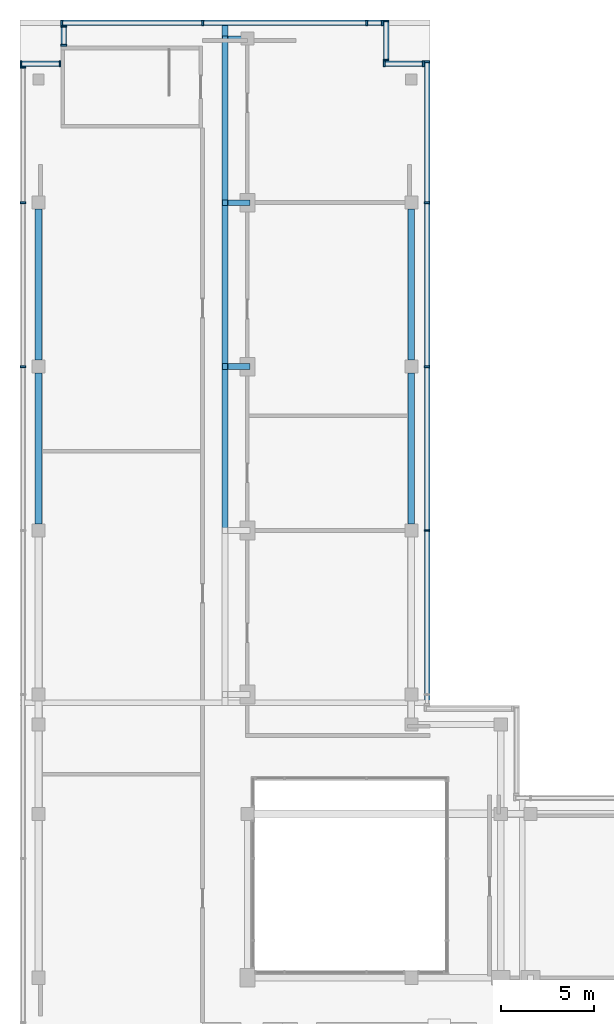
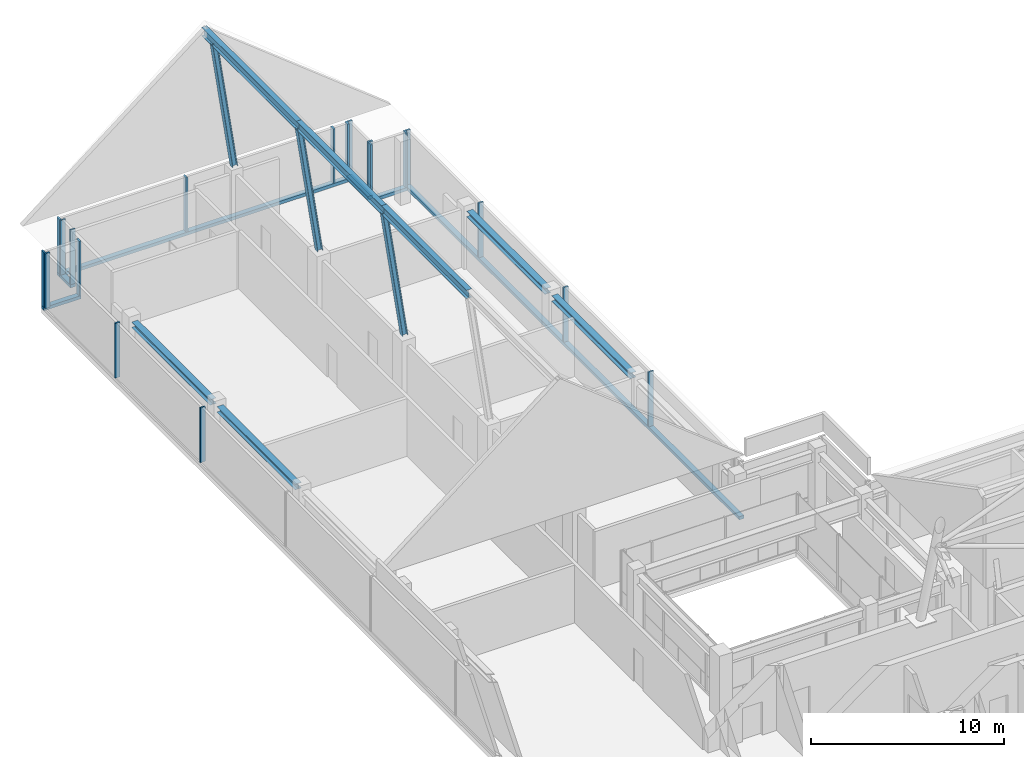
# One storey, part 8 of 13: 28 members, 7 beams, 7 elements without a shape of their own.
"""IFC4 building model written with IfcOpenShell, lengths in metres."""

from ifc_helpers import new_model, si_unit, direction, frame, origin, origin_2d, place, context, subcontext, project, spatial, rectangle, i_section, extrude, source, transform, mapped, material, material_profile, profile_set, type_object, element, aggregate, save


model = new_model("IFC4")

# Units and contexts
model_context = context("Model", 3, precision=1e-05, world=origin(), true_north=direction((0.0, 1.0)))
body_context = subcontext(model_context, "Body", "Model", "MODEL_VIEW")
ifc_project = project(units=[si_unit("LENGTHUNIT", "METRE"), si_unit("AREAUNIT", "SQUARE_METRE"), si_unit("VOLUMEUNIT", "CUBIC_METRE"), si_unit("PLANEANGLEUNIT", "RADIAN"), si_unit("MASSUNIT", "GRAM", prefix="KILO")], contexts=[model_context])

# Site, building, storey
site_placement = place(None, origin())
site = spatial("IfcSite", under=ifc_project, at=site_placement, CompositionType="ELEMENT")
building_placement = place(site_placement, origin())
building = spatial("IfcBuilding", under=site, at=building_placement, Name="Kemantara Hotel Tower", CompositionType="ELEMENT")
storey_placement = place(building_placement, frame((0.0, 0.0, 330.199951171875)))
storey = spatial("IfcBuildingStorey", under=building, at=storey_placement, Name="L83", CompositionType="ELEMENT", Elevation=330.199951171875)

# Curtain wall, member
ifc_material_1 = material(Name="Aluminium 6063-T6 bronze anodised", Category="aluminium")
curtain_wall_type = type_object("IfcCurtainWallType", Name="CROWN LOUVRE SCREEN WALL", PredefinedType="USERDEFINED", material=ifc_material_1)
curtain_wall_1_placement = place(storey_placement, origin())
curtain_wall_1 = element("IfcCurtainWall", 1, at=curtain_wall_1_placement, inside=storey, type_object=curtain_wall_type, Name="CW7 L83 CRN-R02-1", ObjectType="CROWN LOUVRE SCREEN WALL", PredefinedType="USERDEFINED")
ifc_material_profile_1 = material_profile(ifc_material_1, rectangle(XDim=0.300048828125, YDim=0.199951171875, at=origin_2d()), Name="CROWN LOUVRE SCREEN WALL TRANSOM")
ifc_profile_set_1 = profile_set([ifc_material_profile_1], Name="Aluminium 6063-T6 bronze anodised")
member_type_1 = type_object("IfcMemberType", Name="CROWN LOUVRE SCREEN WALL TRANSOM", PredefinedType="USERDEFINED", material=ifc_profile_set_1)
member_1_placement = place(storey_placement, frame((19.5, 63.449951171875, 0.10009765625), z_axis=(-1.0, 0.0, 0.0), x_axis=(0.0, -1.0, 0.0)))
member_1 = element("IfcMember", 2, at=member_1_placement, type_object=member_type_1, Name="CW7 sill transom CRN-R02-1", ObjectType="TRANSOM", PredefinedType="USERDEFINED", context=body_context, shape_type="SweptSolid", body=[
    extrude(rectangle(XDim=0.300048828125, YDim=0.199951171875, at=origin_2d()), origin(), (0.0, 0.0, 1.0), 17.300048828125),
])

curtain_wall_2_placement = place(storey_placement, origin())
curtain_wall_2 = element("IfcCurtainWall", 3, at=curtain_wall_2_placement, inside=storey, type_object=curtain_wall_type, Name="CW7 L83 CRN-R15-1", ObjectType="CROWN LOUVRE SCREEN WALL", PredefinedType="USERDEFINED")
member_2_placement = place(storey_placement, frame((21.85009765625, 26.800048828125, 0.10009765625), z_axis=(0.0, 1.0, 0.0), x_axis=(-1.0, 0.0, 0.0)))
member_2 = element("IfcMember", 4, at=member_2_placement, type_object=member_type_1, Name="CW7 sill transom CRN-R15-1", ObjectType="TRANSOM", PredefinedType="USERDEFINED", context=body_context, shape_type="SweptSolid", body=[
    extrude(rectangle(XDim=0.300048828125, YDim=0.199951171875, at=origin_2d()), origin(), (0.0, 0.0, 1.0), 34.599853515625),
])

curtain_wall_3_placement = place(storey_placement, origin())
curtain_wall_3 = element("IfcCurtainWall", 5, at=curtain_wall_3_placement, inside=storey, type_object=curtain_wall_type, Name="CW7 L83 CRN-R00-1", ObjectType="CROWN LOUVRE SCREEN WALL", PredefinedType="USERDEFINED")
member_3_placement = place(storey_placement, frame((21.699951171875, 61.25, 0.10009765625), z_axis=(-1.0, 0.0, 0.0), x_axis=(0.0, -1.0, 0.0)))
member_3 = element("IfcMember", 6, at=member_3_placement, type_object=member_type_1, Name="CW7 sill transom CRN-R00-1", ObjectType="TRANSOM", PredefinedType="USERDEFINED", context=body_context, shape_type="SweptSolid", body=[
    extrude(rectangle(XDim=0.300048828125, YDim=0.199951171875, at=origin_2d()), origin(), (0.0, 0.0, 1.0), 2.199951171875),
])

curtain_wall_4_placement = place(storey_placement, origin())
curtain_wall_4 = element("IfcCurtainWall", 7, at=curtain_wall_4_placement, inside=storey, type_object=curtain_wall_type, Name="CW7 L83 CRN-R01-1", ObjectType="CROWN LOUVRE SCREEN WALL", PredefinedType="USERDEFINED")
member_4_placement = place(storey_placement, frame((19.64990234375, 61.39990234375, 0.10009765625), z_axis=(0.0, 1.0, 0.0), x_axis=(-1.0, 0.0, 0.0)))
member_4 = element("IfcMember", 8, at=member_4_placement, type_object=member_type_1, Name="CW7 sill transom CRN-R01-1", ObjectType="TRANSOM", PredefinedType="USERDEFINED", context=body_context, shape_type="SweptSolid", body=[
    extrude(rectangle(XDim=0.300048828125, YDim=0.199951171875, at=origin_2d()), origin(), (0.0, 0.0, 1.0), 2.2001953125),
])

curtain_wall_5_placement = place(storey_placement, origin())
curtain_wall_5 = element("IfcCurtainWall", 9, at=curtain_wall_5_placement, inside=storey, type_object=curtain_wall_type, Name="CW7 L83 CRN-R03-1", ObjectType="CROWN LOUVRE SCREEN WALL", PredefinedType="USERDEFINED")
member_5_placement = place(storey_placement, frame((2.35009765625, 63.300048828125, 0.10009765625), z_axis=(0.0, -1.0, 0.0), x_axis=(1.0, 0.0, 0.0)))
member_5 = element("IfcMember", 10, at=member_5_placement, type_object=member_type_1, Name="CW7 sill transom CRN-R03-1", ObjectType="TRANSOM", PredefinedType="USERDEFINED", context=body_context, shape_type="SweptSolid", body=[
    extrude(rectangle(XDim=0.300048828125, YDim=0.199951171875, at=origin_2d()), origin(), (0.0, 0.0, 1.0), 1.10009765625),
])

curtain_wall_6_placement = place(storey_placement, origin())
curtain_wall_6 = element("IfcCurtainWall", 11, at=curtain_wall_6_placement, inside=storey, type_object=curtain_wall_type, Name="CW7 L83 CRN-R04-1", ObjectType="CROWN LOUVRE SCREEN WALL", PredefinedType="USERDEFINED")
member_6_placement = place(storey_placement, frame((2.199951171875, 61.25, 0.10009765625), z_axis=(-1.0, 0.0, 0.0), x_axis=(0.0, -1.0, 0.0)))
member_6 = element("IfcMember", 12, at=member_6_placement, type_object=member_type_1, Name="CW7 sill transom CRN-R04-1", ObjectType="TRANSOM", PredefinedType="USERDEFINED", context=body_context, shape_type="SweptSolid", body=[
    extrude(rectangle(XDim=0.300048828125, YDim=0.199951171875, at=origin_2d()), origin(), (0.0, 0.0, 1.0), 2.199951171875),
])

# Members
ifc_material_2 = material(Name="Steel ASTM A992 Grade 50", Category="steel")
ifc_material_profile_2 = material_profile(ifc_material_2, i_section(OverallWidth=0.304931640625, OverallDepth=0.306884765625, WebThickness=0.010009765625, FlangeThickness=0.015380859375, at=origin_2d()), Name="W310X97")
ifc_profile_set_2 = profile_set([ifc_material_profile_2], Name="Steel ASTM A992 Grade 50")
member_type_2 = type_object("IfcMemberType", Name="ROOF RIDGE A-FRAME W310X97", PredefinedType="BRACE", material=ifc_profile_set_2)
for number, where, z_axis, x_axis, name in (
    (13, (12.199951171875, 45.0, 4.0), (-0.14611875183, 0.0, 0.989267057151), (0.0, -1.0, 0.0), "PEAK B RIDGE A-FRAME 3 LEG 2"),
    (14, (12.199951171875, 53.800048828125, 4.0), (-0.14611875183, 0.0, 0.989267057151), (0.0, -1.0, 0.0), "PEAK B RIDGE A-FRAME 4 LEG 2"),
    (15, (12.199951171875, 62.60009765625, 4.0), (-0.14611875183, 0.0, 0.989267057151), (0.0, -1.0, 0.0), "PEAK B RIDGE A-FRAME 5 LEG 2"),
):
    element("IfcMember", number, at=place(storey_placement, frame(where, z_axis=z_axis, x_axis=x_axis)), inside=storey, type_object=member_type_2, Name=name, PredefinedType="BRACE", context=body_context, shape_type="SweptSolid", body=[
        extrude(i_section(OverallWidth=0.304931640625, OverallDepth=0.306884765625, WebThickness=0.010009765625, FlangeThickness=0.015380859375, at=origin_2d()), origin(), (0.0, 0.0, 1.0), 8.212158203125),
    ])

# Beams
ifc_material_profile_3 = material_profile(ifc_material_2, i_section(OverallWidth=0.31201171875, OverallDepth=0.5439453125, WebThickness=0.0126953125, FlangeThickness=0.020263671875, at=origin_2d()), Name="W530X150")
ifc_profile_set_3 = profile_set([ifc_material_profile_3], Name="Steel ASTM A992 Grade 50")
beam_type_1 = type_object("IfcBeamType", Name="ROOF RIDGE BEAM W530X150", PredefinedType="BEAM", material=ifc_profile_set_3)
for number, where, z_axis, x_axis, name in (
    (16, (11.0, 36.199951171875, 12.328125), (0.0, 1.0, 0.0), (-1.0, 0.0, 0.0), "PEAK B RIDGE BEAM 2"),
    (17, (11.0, 45.0, 12.328125), (0.0, 1.0, 0.0), (-1.0, 0.0, 0.0), "PEAK B RIDGE BEAM 3"),
):
    element("IfcBeam", number, at=place(storey_placement, frame(where, z_axis=z_axis, x_axis=x_axis)), inside=storey, type_object=beam_type_1, Name=name, PredefinedType="BEAM", context=body_context, shape_type="SweptSolid", body=[
        extrude(i_section(OverallWidth=0.31201171875, OverallDepth=0.5439453125, WebThickness=0.0126953125, FlangeThickness=0.020263671875, at=origin_2d()), origin(), (0.0, 0.0, 1.0), 8.800048828125),
    ])
beam_placement = place(storey_placement, frame((11.0, 53.800048828125, 12.328125), z_axis=(0.0, 1.0, 0.0), x_axis=(-1.0, 0.0, 0.0)))
element("IfcBeam", 18, at=beam_placement, inside=storey, type_object=beam_type_1, Name="PEAK B RIDGE BEAM 4", PredefinedType="BEAM", context=body_context, shape_type="SweptSolid", body=[
    extrude(i_section(OverallWidth=0.31201171875, OverallDepth=0.5439453125, WebThickness=0.0126953125, FlangeThickness=0.020263671875, at=origin_2d()), origin(), (0.0, 0.0, 1.0), 9.800048828125),
])
ifc_material_profile_4 = material_profile(ifc_material_2, i_section(OverallWidth=0.367919921875, OverallDepth=0.35595703125, WebThickness=0.01123046875, FlangeThickness=0.01806640625, at=origin_2d()), Name="W360X134")
ifc_profile_set_4 = profile_set([ifc_material_profile_4], Name="Steel ASTM A992 Grade 50")
beam_type_2 = type_object("IfcBeamType", Name="ROOF RING BEAM W360X134", PredefinedType="BEAM", material=ifc_profile_set_4)
for number, where, z_axis, x_axis, name in (
    (19, (1.0, 36.550048828125, 3.47216796875), (0.0, 1.0, 0.0), (-1.0, 0.0, 0.0), "ROOF RING BEAM 5"),
    (20, (1.0, 45.35009765625, 3.47216796875), (0.0, 1.0, 0.0), (-1.0, 0.0, 0.0), "ROOF RING BEAM 6"),
    (21, (21.0, 36.550048828125, 3.47216796875), (0.0, 1.0, 0.0), (-1.0, 0.0, 0.0), "ROOF RING BEAM 9"),
    (22, (21.0, 45.35009765625, 3.47216796875), (0.0, 1.0, 0.0), (-1.0, 0.0, 0.0), "ROOF RING BEAM 10"),
):
    element("IfcBeam", number, at=place(storey_placement, frame(where, z_axis=z_axis, x_axis=x_axis)), inside=storey, type_object=beam_type_2, Name=name, PredefinedType="BEAM", context=body_context, shape_type="SweptSolid", body=[
        extrude(i_section(OverallWidth=0.367919921875, OverallDepth=0.35595703125, WebThickness=0.01123046875, FlangeThickness=0.01806640625, at=origin_2d()), origin(), (0.0, 0.0, 1.0), 8.099853515625),
    ])

# Member
ifc_material_profile_5 = material_profile(ifc_material_1, rectangle(XDim=0.300048828125, YDim=0.10009765625, at=origin_2d()), Name="CROWN LOUVRE SCREEN WALL MULLION")
ifc_profile_set_5 = profile_set([ifc_material_profile_5], Name="Aluminium 6063-T6 bronze anodised")
member_type_3 = type_object("IfcMemberType", Name="CROWN LOUVRE SCREEN WALL MULLION", PredefinedType="MULLION", material=ifc_profile_set_5)
shared_shape = source(origin(), body_context, "Body", "SweptSolid", [
    extrude(rectangle(XDim=0.300048828125, YDim=0.10009765625, at=origin_2d()), origin(), (0.0, 0.0, 1.0), 3.4501953125),
])
member_7_placement = place(storey_placement, frame((19.449951171875, 63.449951171875, 0.199951171875), z_axis=(0.0, 0.0, 1.0), x_axis=(0.0, -1.0, 0.0)))
member_7 = element("IfcMember", 23, at=member_7_placement, type_object=member_type_3, Name="CW7 mullion CRN-R02-1.1", PredefinedType="MULLION", context=body_context, shape_type="MappedRepresentation", body=[
    mapped(shared_shape, transform((0.0, 0.0, 0.0))),
])

member_8_placement = place(storey_placement, frame((18.60009765625, 63.449951171875, 0.199951171875), z_axis=(0.0, 0.0, 1.0), x_axis=(0.0, -1.0, 0.0)))
member_8 = element("IfcMember", 24, at=member_8_placement, type_object=member_type_3, Name="CW7 mullion CRN-R02-1.2", PredefinedType="MULLION", context=body_context, shape_type="MappedRepresentation", body=[
    mapped(shared_shape, transform((0.0, 0.0, 0.0))),
])

member_9_placement = place(storey_placement, frame((9.800048828125, 63.449951171875, 0.199951171875), z_axis=(0.0, 0.0, 1.0), x_axis=(0.0, -1.0, 0.0)))
member_9 = element("IfcMember", 25, at=member_9_placement, type_object=member_type_3, Name="CW7 mullion CRN-R02-1.3", PredefinedType="MULLION", context=body_context, shape_type="MappedRepresentation", body=[
    mapped(shared_shape, transform((0.0, 0.0, 0.0))),
])

member_10_placement = place(storey_placement, frame((2.25, 63.449951171875, 0.199951171875), z_axis=(0.0, 0.0, 1.0), x_axis=(0.0, -1.0, 0.0)))
member_10 = element("IfcMember", 26, at=member_10_placement, type_object=member_type_3, Name="CW7 mullion CRN-R02-1.4", PredefinedType="MULLION", context=body_context, shape_type="MappedRepresentation", body=[
    mapped(shared_shape, transform((0.0, 0.0, 0.0))),
])

aggregate(curtain_wall_1, [member_1, member_7, member_8, member_9, member_10])

# Curtain wall, members
curtain_wall_7_placement = place(storey_placement, origin())
curtain_wall_7 = element("IfcCurtainWall", 27, at=curtain_wall_7_placement, inside=storey, type_object=curtain_wall_type, Name="CW7 L83 CRN-R05-1", ObjectType="CROWN LOUVRE SCREEN WALL", PredefinedType="USERDEFINED")
member_11_placement = place(storey_placement, frame((0.14990234375, 61.050048828125, 0.199951171875), z_axis=(0.0, 0.0, 1.0), x_axis=(1.0, 0.0, 0.0)))
member_11 = element("IfcMember", 28, at=member_11_placement, type_object=member_type_3, Name="CW7 mullion CRN-R05-1.1", PredefinedType="MULLION", context=body_context, shape_type="MappedRepresentation", body=[
    mapped(shared_shape, transform((0.0, 0.0, 0.0))),
])
member_12_placement = place(storey_placement, frame((0.14990234375, 53.800048828125, 0.199951171875), z_axis=(0.0, 0.0, 1.0), x_axis=(1.0, 0.0, 0.0)))
member_12 = element("IfcMember", 29, at=member_12_placement, type_object=member_type_3, Name="CW7 mullion CRN-R05-1.2", PredefinedType="MULLION", context=body_context, shape_type="MappedRepresentation", body=[
    mapped(shared_shape, transform((0.0, 0.0, 0.0))),
])
member_13_placement = place(storey_placement, frame((0.14990234375, 45.0, 0.199951171875), z_axis=(0.0, 0.0, 1.0), x_axis=(1.0, 0.0, 0.0)))
member_13 = element("IfcMember", 30, at=member_13_placement, type_object=member_type_3, Name="CW7 mullion CRN-R05-1.3", PredefinedType="MULLION", context=body_context, shape_type="MappedRepresentation", body=[
    mapped(shared_shape, transform((0.0, 0.0, 0.0))),
])
aggregate(curtain_wall_7, [member_11, member_12, member_13])

# Member
member_14_placement = place(storey_placement, frame((21.85009765625, 36.199951171875, 0.199951171875), z_axis=(0.0, 0.0, 1.0), x_axis=(-1.0, 0.0, 0.0)))
member_14 = element("IfcMember", 31, at=member_14_placement, type_object=member_type_3, Name="CW7 mullion CRN-R15-1.3", PredefinedType="MULLION", context=body_context, shape_type="MappedRepresentation", body=[
    mapped(shared_shape, transform((0.0, 0.0, 0.0))),
])

member_15_placement = place(storey_placement, frame((21.85009765625, 45.0, 0.199951171875), z_axis=(0.0, 0.0, 1.0), x_axis=(-1.0, 0.0, 0.0)))
member_15 = element("IfcMember", 32, at=member_15_placement, type_object=member_type_3, Name="CW7 mullion CRN-R15-1.4", PredefinedType="MULLION", context=body_context, shape_type="MappedRepresentation", body=[
    mapped(shared_shape, transform((0.0, 0.0, 0.0))),
])

member_16_placement = place(storey_placement, frame((21.85009765625, 53.800048828125, 0.199951171875), z_axis=(0.0, 0.0, 1.0), x_axis=(-1.0, 0.0, 0.0)))
member_16 = element("IfcMember", 33, at=member_16_placement, type_object=member_type_3, Name="CW7 mullion CRN-R15-1.5", PredefinedType="MULLION", context=body_context, shape_type="MappedRepresentation", body=[
    mapped(shared_shape, transform((0.0, 0.0, 0.0))),
])

member_17_placement = place(storey_placement, frame((21.85009765625, 61.35009765625, 0.199951171875), z_axis=(0.0, 0.0, 1.0), x_axis=(-1.0, 0.0, 0.0)))
member_17 = element("IfcMember", 34, at=member_17_placement, type_object=member_type_3, Name="CW7 mullion CRN-R15-1.6", PredefinedType="MULLION", context=body_context, shape_type="MappedRepresentation", body=[
    mapped(shared_shape, transform((0.0, 0.0, 0.0))),
])

aggregate(curtain_wall_2, [member_2, member_14, member_15, member_16, member_17])

member_18_placement = place(storey_placement, frame((21.64990234375, 61.25, 0.199951171875), z_axis=(0.0, 0.0, 1.0), x_axis=(0.0, -1.0, 0.0)))
member_18 = element("IfcMember", 35, at=member_18_placement, type_object=member_type_3, Name="CW7 mullion CRN-R00-1.1", PredefinedType="MULLION", context=body_context, shape_type="MappedRepresentation", body=[
    mapped(shared_shape, transform((0.0, 0.0, 0.0))),
])

member_19_placement = place(storey_placement, frame((19.550048828125, 61.25, 0.199951171875), z_axis=(0.0, 0.0, 1.0), x_axis=(0.0, -1.0, 0.0)))
member_19 = element("IfcMember", 36, at=member_19_placement, type_object=member_type_3, Name="CW7 mullion CRN-R00-1.2", PredefinedType="MULLION", context=body_context, shape_type="MappedRepresentation", body=[
    mapped(shared_shape, transform((0.0, 0.0, 0.0))),
])

aggregate(curtain_wall_3, [member_3, member_18, member_19])

member_20_placement = place(storey_placement, frame((19.64990234375, 61.449951171875, 0.199951171875), z_axis=(0.0, 0.0, 1.0), x_axis=(-1.0, 0.0, 0.0)))
member_20 = element("IfcMember", 37, at=member_20_placement, type_object=member_type_3, Name="CW7 mullion CRN-R01-1.1", PredefinedType="MULLION", context=body_context, shape_type="MappedRepresentation", body=[
    mapped(shared_shape, transform((0.0, 0.0, 0.0))),
])

member_21_placement = place(storey_placement, frame((19.64990234375, 63.550048828125, 0.199951171875), z_axis=(0.0, 0.0, 1.0), x_axis=(-1.0, 0.0, 0.0)))
member_21 = element("IfcMember", 38, at=member_21_placement, type_object=member_type_3, Name="CW7 mullion CRN-R01-1.2", PredefinedType="MULLION", context=body_context, shape_type="MappedRepresentation", body=[
    mapped(shared_shape, transform((0.0, 0.0, 0.0))),
])

aggregate(curtain_wall_4, [member_4, member_20, member_21])

member_22_placement = place(storey_placement, frame((2.35009765625, 63.25, 0.199951171875), z_axis=(0.0, 0.0, 1.0), x_axis=(1.0, 0.0, 0.0)))
member_22 = element("IfcMember", 39, at=member_22_placement, type_object=member_type_3, Name="CW7 mullion CRN-R03-1.1", PredefinedType="MULLION", context=body_context, shape_type="MappedRepresentation", body=[
    mapped(shared_shape, transform((0.0, 0.0, 0.0))),
])

member_23_placement = place(storey_placement, frame((2.35009765625, 62.25, 0.199951171875), z_axis=(0.0, 0.0, 1.0), x_axis=(1.0, 0.0, 0.0)))
member_23 = element("IfcMember", 40, at=member_23_placement, type_object=member_type_3, Name="CW7 mullion CRN-R03-1.2", PredefinedType="MULLION", context=body_context, shape_type="MappedRepresentation", body=[
    mapped(shared_shape, transform((0.0, 0.0, 0.0))),
])

aggregate(curtain_wall_5, [member_5, member_22, member_23])

member_24_placement = place(storey_placement, frame((2.14990234375, 61.25, 0.199951171875), z_axis=(0.0, 0.0, 1.0), x_axis=(0.0, -1.0, 0.0)))
member_24 = element("IfcMember", 41, at=member_24_placement, type_object=member_type_3, Name="CW7 mullion CRN-R04-1.1", PredefinedType="MULLION", context=body_context, shape_type="MappedRepresentation", body=[
    mapped(shared_shape, transform((0.0, 0.0, 0.0))),
])

member_25_placement = place(storey_placement, frame((0.050048828125, 61.25, 0.199951171875), z_axis=(0.0, 0.0, 1.0), x_axis=(0.0, -1.0, 0.0)))
member_25 = element("IfcMember", 42, at=member_25_placement, type_object=member_type_3, Name="CW7 mullion CRN-R04-1.2", PredefinedType="MULLION", context=body_context, shape_type="MappedRepresentation", body=[
    mapped(shared_shape, transform((0.0, 0.0, 0.0))),
])

aggregate(curtain_wall_6, [member_6, member_24, member_25])

save(model, "model.ifc")
